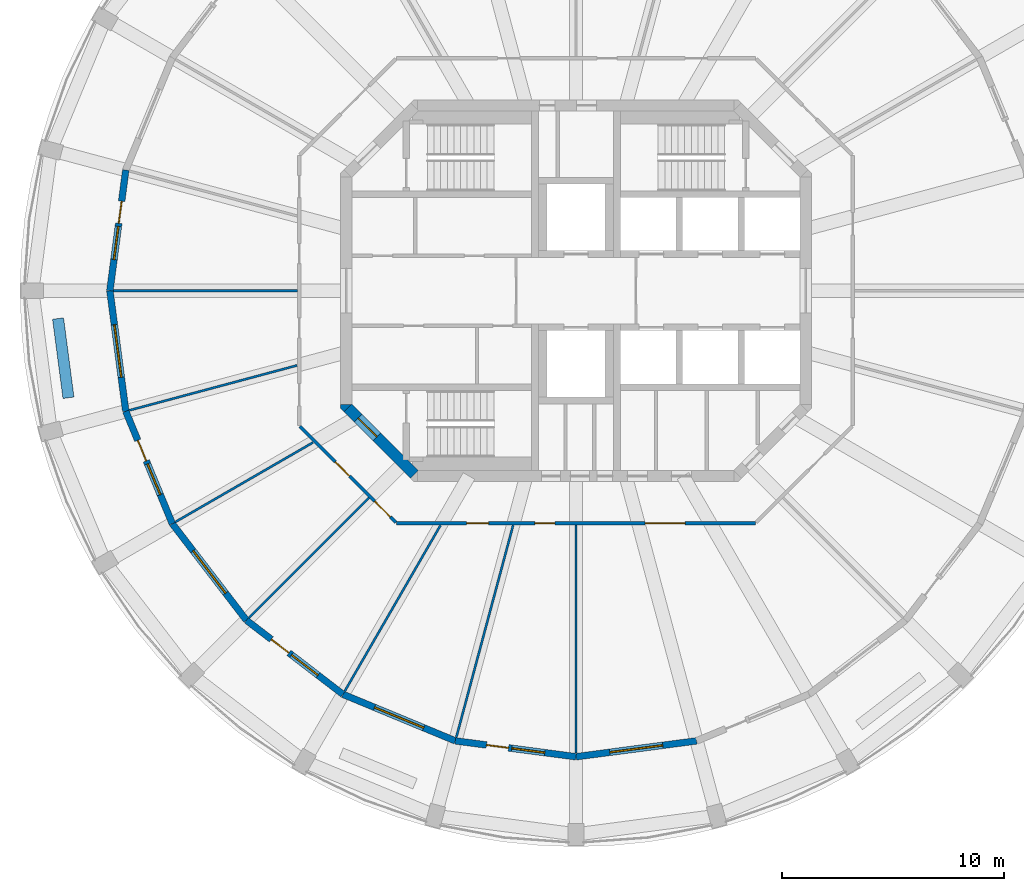
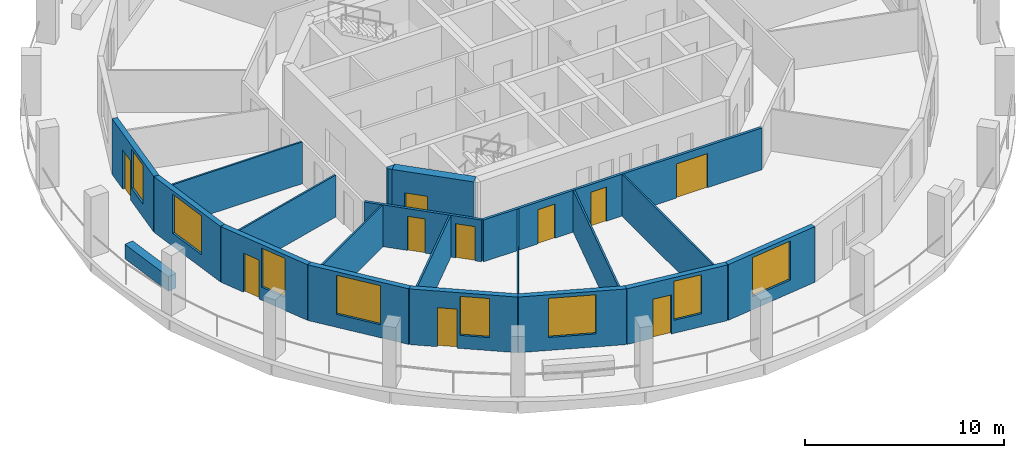
# One storey, part 2 of 9: 20 walls, 10 doors, 8 windows, 18 openings.
"""IFC4 building model written with IfcOpenShell, lengths in metres."""

from ifc_helpers import new_model, si_unit, direction, frame, frame_2d, origin, place, context, subcontext, project, spatial, polyline, rectangle, outline, extrude, material, layer, layer_set, type_object, element, fill, save


model = new_model("IFC4")

# Units and contexts
model_context = context("Model", 3, precision=1e-05, world=origin(), true_north=direction((0.0, 1.0)))
body_context = subcontext(model_context, "Body", "Model", "MODEL_VIEW")
ifc_project = project(units=[si_unit("LENGTHUNIT", "METRE"), si_unit("AREAUNIT", "SQUARE_METRE"), si_unit("VOLUMEUNIT", "CUBIC_METRE"), si_unit("PLANEANGLEUNIT", "RADIAN"), si_unit("MASSUNIT", "GRAM", prefix="KILO")], contexts=[model_context])

# Site, building, storey
site_placement = place(None, origin())
site = spatial("IfcSite", under=ifc_project, at=site_placement, CompositionType="ELEMENT")
building_placement = place(site_placement, origin())
building = spatial("IfcBuilding", under=site, at=building_placement, Name="Torre Triforio", CompositionType="ELEMENT")
storey_placement = place(building_placement, frame((0.0, 0.0, 268.60009765625)))
storey = spatial("IfcBuildingStorey", under=building, at=storey_placement, Name="L62", CompositionType="ELEMENT", Elevation=268.60009765625)

# Wall, opening, door
ifc_material_1 = material(Name="Concrete C40", Category="concrete")
ifc_layer_1 = layer(ifc_material_1, 0.5)
ifc_layer_set_1 = layer_set([ifc_layer_1], Name="Concrete C40")
wall_type_1 = type_object("IfcWallType", Name="Core wall 500 mm C40 EI 120", PredefinedType="SHEAR", material=ifc_layer_set_1)
wall_1_placement = place(storey_placement, frame((-7.27685546875, -8.27685546875, -0.280029296875), z_axis=(0.0, 0.0, 1.0), x_axis=(-0.707106781187, 0.707106781187, 0.0)))
wall_1 = element("IfcWall", 1, at=wall_1_placement, inside=storey, type_object=wall_type_1, Name="Core wall", PredefinedType="SHEAR", context=body_context, shape_type="SweptSolid", body=[
    extrude(rectangle(XDim=4.24267578125, YDim=0.5, at=frame_2d((2.121337890625, 0.0))), origin(), (0.0, 0.0, 1.0), 3.699951171875),
])
opening_1_placement = place(wall_1_placement, frame((2.392578125, 0.0, 0.280029296875)))
opening_1 = element("IfcOpeningElement", 2, at=opening_1_placement, cuts=wall_1, Name="Opening ST3-EXIT", PredefinedType="OPENING", context=body_context, shape_type="SweptSolid", body=[
    extrude(rectangle(XDim=1.199951171875, YDim=2.10009765625, at=frame_2d((0.60009765625, 1.050048828125))), frame((0.0, 0.260009765625, 0.0), z_axis=(0.0, -1.0, 0.0), x_axis=(1.0, 0.0, 0.0)), (0.0, 0.0, 1.0), 0.52001953125),
])
ifc_material_2 = material(Name="Hollow metal fire door leaf")
door_type_1 = type_object("IfcDoorType", Name="Stair lobby door 1200 x 2100 EI 60", OperationType="NOTDEFINED", PredefinedType="DOOR", material=ifc_material_2)
door_1_placement = place(opening_1_placement, origin())
door_1 = element("IfcDoor", 3, at=door_1_placement, inside=storey, type_object=door_type_1, Name="Core door ST3-EXIT", OperationType="SINGLE_SWING_RIGHT", OverallHeight=2.10009765625, OverallWidth=1.199951171875, PredefinedType="DOOR", context=body_context, shape_type="SweptSolid", body=[
    extrude(rectangle(XDim=1.199951171875, YDim=2.10009765625, at=frame_2d((0.60009765625, 1.050048828125))), frame((0.0, 0.02490234375, 0.0), z_axis=(0.0, -1.0, 0.0), x_axis=(1.0, 0.0, 0.0)), (0.0, 0.0, 1.0), 0.050048828125),
])
fill(opening_1, door_1)

# Wall
wall_2_placement = place(storey_placement, frame((0.0, 0.0, -0.280029296875)))
element("IfcWall", 4, at=wall_2_placement, inside=storey, type_object=wall_type_1, Name="Core wall", PredefinedType="SHEAR", context=body_context, shape_type="SweptSolid", body=[
    extrude(outline(polyline([(-10.60009765625, -5.30712890625), (-10.60009765625, -5.1298828125), (-10.1298828125, -5.1298828125), (-10.45361328125, -5.45361328125), (-10.60009765625, -5.30712890625)])), origin(), (0.0, 0.0, 1.0), 3.699951171875),
])

# Wall, openings, doors
ifc_material_3 = material(Name="Plasterboard on metal studs")
ifc_layer_2 = layer(ifc_material_3, 0.14990234375)
ifc_layer_set_2 = layer_set([ifc_layer_2], Name="Plasterboard on metal studs")
wall_type_2 = type_object("IfcWallType", Name="Corridor and tenancy wall 150 mm EI 60", PredefinedType="PARTITIONING", material=ifc_layer_set_2)
wall_3_placement = place(storey_placement, frame((8.083740234375, -10.47509765625, 0.0), z_axis=(0.0, 0.0, 1.0), x_axis=(-1.0, 0.0, 0.0)))
wall_3 = element("IfcWall", 5, at=wall_3_placement, inside=storey, type_object=wall_type_2, Name="Partition 2", PredefinedType="PARTITIONING", context=body_context, shape_type="SweptSolid", body=[
    extrude(rectangle(XDim=16.16748046875, YDim=0.14990234375, at=frame_2d((8.083740234375, 0.0))), origin(), (0.0, 0.0, 1.0), 2.56982421875),
])
opening_2_placement = place(wall_3_placement, frame((12.014892578125, 0.0, 0.0)))
opening_2 = element("IfcOpeningElement", 6, at=opening_2_placement, cuts=wall_3, Name="Opening E2-02", PredefinedType="OPENING", context=body_context, shape_type="SweptSolid", body=[
    extrude(rectangle(XDim=1.0, YDim=2.10009765625, at=frame_2d((0.5, 1.050048828125))), frame((0.0, 0.0849609375, 0.0), z_axis=(0.0, -1.0, 0.0), x_axis=(1.0, 0.0, 0.0)), (0.0, 0.0, 1.0), 0.169921875),
])
opening_3_placement = place(wall_3_placement, frame((9.0380859375, 0.0, 0.0)))
opening_3 = element("IfcOpeningElement", 7, at=opening_3_placement, cuts=wall_3, Name="Opening E2-03", PredefinedType="OPENING", context=body_context, shape_type="SweptSolid", body=[
    extrude(rectangle(XDim=0.89990234375, YDim=2.10009765625, at=frame_2d((0.449951171875, 1.050048828125))), frame((0.0, 0.0849609375, 0.0), z_axis=(0.0, -1.0, 0.0), x_axis=(1.0, 0.0, 0.0)), (0.0, 0.0, 1.0), 0.169921875),
])
opening_4_placement = place(wall_3_placement, frame((3.1669921875, 0.0, 0.0)))
opening_4 = element("IfcOpeningElement", 8, at=opening_4_placement, cuts=wall_3, Name="Opening E2-04", PredefinedType="OPENING", context=body_context, shape_type="SweptSolid", body=[
    extrude(rectangle(XDim=1.800048828125, YDim=2.10009765625, at=frame_2d((0.89990234375, 1.050048828125))), frame((0.0, 0.0849609375, 0.0), z_axis=(0.0, -1.0, 0.0), x_axis=(1.0, 0.0, 0.0)), (0.0, 0.0, 1.0), 0.169921875),
])
ifc_material_4 = material(Name="Timber", Category="wood")
door_type_2 = type_object("IfcDoorType", Name="Door 1000 x 2100 single leaf EI 30", OperationType="NOTDEFINED", PredefinedType="DOOR", material=ifc_material_4)
door_2_placement = place(opening_2_placement, origin())
door_2 = element("IfcDoor", 9, at=door_2_placement, inside=storey, type_object=door_type_2, Name="Door E2-02", OperationType="SINGLE_SWING_LEFT", OverallHeight=2.10009765625, OverallWidth=1.0, PredefinedType="DOOR", context=body_context, shape_type="SweptSolid", body=[
    extrude(rectangle(XDim=1.0, YDim=2.10009765625, at=frame_2d((0.5, 1.050048828125))), frame((0.0, 0.02490234375, 0.0), z_axis=(0.0, -1.0, 0.0), x_axis=(1.0, 0.0, 0.0)), (0.0, 0.0, 1.0), 0.050048828125),
])
fill(opening_2, door_2)
door_type_3 = type_object("IfcDoorType", Name="Door 1800 x 2100 double leaf EI 30", OperationType="DOUBLE_DOOR_SINGLE_SWING", PredefinedType="DOOR", material=ifc_material_4)
door_3_placement = place(opening_4_placement, origin())
door_3 = element("IfcDoor", 10, at=door_3_placement, inside=storey, type_object=door_type_3, Name="Door E2-04", OperationType="DOUBLE_DOOR_SINGLE_SWING", OverallHeight=2.10009765625, OverallWidth=1.800048828125, PredefinedType="DOOR", context=body_context, shape_type="SweptSolid", body=[
    extrude(rectangle(XDim=1.800048828125, YDim=2.10009765625, at=frame_2d((0.89990234375, 1.050048828125))), frame((0.0, 0.02490234375, 0.0), z_axis=(0.0, -1.0, 0.0), x_axis=(1.0, 0.0, 0.0)), (0.0, 0.0, 1.0), 0.050048828125),
])
fill(opening_4, door_3)
door_type_4 = type_object("IfcDoorType", Name="Door 900 x 2100 single leaf EI 30", OperationType="NOTDEFINED", PredefinedType="DOOR", material=ifc_material_4)
door_4_placement = place(opening_3_placement, origin())
door_4 = element("IfcDoor", 11, at=door_4_placement, inside=storey, type_object=door_type_4, Name="Door E2-03", OperationType="SINGLE_SWING_LEFT", OverallHeight=2.10009765625, OverallWidth=0.89990234375, PredefinedType="DOOR", context=body_context, shape_type="SweptSolid", body=[
    extrude(rectangle(XDim=0.89990234375, YDim=2.10009765625, at=frame_2d((0.449951171875, 1.050048828125))), frame((0.0, 0.02490234375, 0.0), z_axis=(0.0, -1.0, 0.0), x_axis=(1.0, 0.0, 0.0)), (0.0, 0.0, 1.0), 0.050048828125),
])
fill(opening_3, door_4)

wall_4_placement = place(storey_placement, frame((-8.120849609375, -10.43798828125, 0.0), z_axis=(0.0, 0.0, 1.0), x_axis=(-0.707106781187, 0.707106781187, 0.0)))
wall_4 = element("IfcWall", 12, at=wall_4_placement, inside=storey, type_object=wall_type_2, Name="Partition 3", PredefinedType="PARTITIONING", context=body_context, shape_type="SweptSolid", body=[
    extrude(rectangle(XDim=6.10546875, YDim=0.14990234375, at=frame_2d((3.052734375, 0.0))), origin(), (0.0, 0.0, 1.0), 2.56982421875),
])
opening_5_placement = place(wall_4_placement, frame((0.34423828125, 0.0, 0.0)))
opening_5 = element("IfcOpeningElement", 13, at=opening_5_placement, cuts=wall_4, Name="Opening E2-01", PredefinedType="OPENING", context=body_context, shape_type="SweptSolid", body=[
    extrude(rectangle(XDim=1.0, YDim=2.10009765625, at=frame_2d((0.5, 1.050048828125))), frame((0.0, 0.0849609375, 0.0), z_axis=(0.0, -1.0, 0.0), x_axis=(1.0, 0.0, 0.0)), (0.0, 0.0, 1.0), 0.169921875),
])
opening_6_placement = place(wall_4_placement, frame((2.947509765625, 0.0, 0.0)))
opening_6 = element("IfcOpeningElement", 14, at=opening_6_placement, cuts=wall_4, Name="Opening E2-17", PredefinedType="OPENING", context=body_context, shape_type="SweptSolid", body=[
    extrude(rectangle(XDim=0.89990234375, YDim=2.10009765625, at=frame_2d((0.449951171875, 1.050048828125))), frame((0.0, 0.0849609375, 0.0), z_axis=(0.0, -1.0, 0.0), x_axis=(1.0, 0.0, 0.0)), (0.0, 0.0, 1.0), 0.169921875),
])
door_5_placement = place(opening_5_placement, origin())
door_5 = element("IfcDoor", 15, at=door_5_placement, inside=storey, type_object=door_type_2, Name="Door E2-01", OperationType="SINGLE_SWING_LEFT", OverallHeight=2.10009765625, OverallWidth=1.0, PredefinedType="DOOR", context=body_context, shape_type="SweptSolid", body=[
    extrude(rectangle(XDim=1.0, YDim=2.10009765625, at=frame_2d((0.5, 1.050048828125))), frame((0.0, 0.02490234375, 0.0), z_axis=(0.0, -1.0, 0.0), x_axis=(1.0, 0.0, 0.0)), (0.0, 0.0, 1.0), 0.050048828125),
])
fill(opening_5, door_5)
door_6_placement = place(opening_6_placement, origin())
door_6 = element("IfcDoor", 16, at=door_6_placement, inside=storey, type_object=door_type_4, Name="Door E2-17", OperationType="SINGLE_SWING_LEFT", OverallHeight=2.10009765625, OverallWidth=0.89990234375, PredefinedType="DOOR", context=body_context, shape_type="SweptSolid", body=[
    extrude(rectangle(XDim=0.89990234375, YDim=2.10009765625, at=frame_2d((0.449951171875, 1.050048828125))), frame((0.0, 0.02490234375, 0.0), z_axis=(0.0, -1.0, 0.0), x_axis=(1.0, 0.0, 0.0)), (0.0, 0.0, 1.0), 0.050048828125),
])
fill(opening_6, door_6)

# Walls
ifc_layer_3 = layer(ifc_material_3, 0.10009765625)
ifc_layer_set_3 = layer_set([ifc_layer_3], Name="Plasterboard on metal studs")
wall_type_3 = type_object("IfcWallType", Name="Partition 100 mm board on metal studs", PredefinedType="PARTITIONING", material=ifc_layer_set_3)
wall_5_placement = place(storey_placement, frame((-12.550048828125, 0.0, 0.0), z_axis=(0.0, 0.0, 1.0), x_axis=(-1.0, 0.0, 0.0)))
element("IfcWall", 17, at=wall_5_placement, inside=storey, type_object=wall_type_3, Name="Partition 17", PredefinedType="PARTITIONING", context=body_context, shape_type="SweptSolid", body=[
    extrude(rectangle(XDim=8.28662109375, YDim=0.10009765625, at=frame_2d((4.143310546875, 0.0))), origin(), (0.0, 0.0, 1.0), 2.56982421875),
])
wall_6_placement = place(storey_placement, frame((-12.564208984375, -3.36669921875, 0.0), z_axis=(0.0, 0.0, 1.0), x_axis=(-0.965933576344, -0.258790119773, 0.0)))
element("IfcWall", 18, at=wall_6_placement, inside=storey, type_object=wall_type_3, Name="Partition 18", PredefinedType="PARTITIONING", context=body_context, shape_type="SweptSolid", body=[
    extrude(rectangle(XDim=7.8291015625, YDim=0.10009765625, at=frame_2d((3.91455078125, 0.0))), origin(), (0.0, 0.0, 1.0), 2.56982421875),
])
wall_7_placement = place(storey_placement, frame((-11.845947265625, -6.839111328125, 0.0), z_axis=(0.0, 0.0, 1.0), x_axis=(-0.866011787705, -0.500023583, 0.0)))
element("IfcWall", 19, at=wall_7_placement, inside=storey, type_object=wall_type_3, Name="Partition 19", PredefinedType="PARTITIONING", context=body_context, shape_type="SweptSolid", body=[
    extrude(rectangle(XDim=7.158447265625, YDim=0.10009765625, at=frame_2d((3.5791015625, 0.0))), origin(), (0.0, 0.0, 1.0), 2.56982421875),
])
wall_8_placement = place(storey_placement, frame((-9.33251953125, -9.33251953125, 0.0), z_axis=(0.0, 0.0, 1.0), x_axis=(-0.707106781187, -0.707106781187, 0.0)))
element("IfcWall", 20, at=wall_8_placement, inside=storey, type_object=wall_type_3, Name="Partition 20", PredefinedType="PARTITIONING", context=body_context, shape_type="SweptSolid", body=[
    extrude(rectangle(XDim=7.638671875, YDim=0.10009765625, at=frame_2d((3.8193359375, 0.0))), origin(), (0.0, 0.0, 1.0), 2.56982421875),
])
wall_9_placement = place(storey_placement, frame((-6.105224609375, -10.57470703125, 0.0), z_axis=(0.0, 0.0, 1.0), x_axis=(-0.50001399067, -0.866017326117, 0.0)))
element("IfcWall", 21, at=wall_9_placement, inside=storey, type_object=wall_type_3, Name="Partition 21", PredefinedType="PARTITIONING", context=body_context, shape_type="SweptSolid", body=[
    extrude(rectangle(XDim=8.626220703125, YDim=0.10009765625, at=frame_2d((4.31298828125, 0.0))), origin(), (0.0, 0.0, 1.0), 2.56982421875),
])
wall_10_placement = place(storey_placement, frame((-2.830810546875, -10.564208984375, 0.0), z_axis=(0.0, 0.0, 1.0), x_axis=(-0.258795254151, -0.965932200741, 0.0)))
element("IfcWall", 22, at=wall_10_placement, inside=storey, type_object=wall_type_3, Name="Partition 22", PredefinedType="PARTITIONING", context=body_context, shape_type="SweptSolid", body=[
    extrude(rectangle(XDim=9.899658203125, YDim=0.10009765625, at=frame_2d((4.94970703125, 0.0))), origin(), (0.0, 0.0, 1.0), 2.56982421875),
])
wall_11_placement = place(storey_placement, frame((0.0, -10.550048828125, 0.0), z_axis=(0.0, 0.0, 1.0), x_axis=(0.0, -1.0, 0.0)))
element("IfcWall", 23, at=wall_11_placement, inside=storey, type_object=wall_type_3, Name="Partition 23", PredefinedType="PARTITIONING", context=body_context, shape_type="SweptSolid", body=[
    extrude(rectangle(XDim=10.28662109375, YDim=0.10009765625, at=frame_2d((5.143310546875, 0.0))), origin(), (0.0, 0.0, 1.0), 2.56982421875),
])
ifc_material_5 = material(Name="Limestone cladding", Category="masonry")
ifc_layer_4 = layer(ifc_material_5, 0.10009765625)
ifc_layer_5 = layer(ifc_material_1, 0.39990234375)
ifc_layer_set_4 = layer_set([ifc_layer_4, ifc_layer_5], Name="Limestone cladding / Concrete C40")
wall_type_4 = type_object("IfcWallType", Name="Planter wall 500", PredefinedType="PARAPET", material=ifc_layer_set_4)
wall_12_placement = place(storey_placement, frame((-23.335693359375, -1.256591796875, 0.0), z_axis=(0.0, 0.0, 1.0), x_axis=(0.130542222659, -0.991442750795, 0.0)))
element("IfcWall", 24, at=wall_12_placement, inside=storey, type_object=wall_type_4, Name="Planter L62 bay 13", PredefinedType="PARAPET", context=body_context, shape_type="SweptSolid", body=[
    extrude(rectangle(XDim=3.60009765625, YDim=0.5, at=frame_2d((1.800048828125, 0.0))), origin(), (0.0, 0.0, 1.0), 0.89990234375),
])

# Wall, openings, door, window
ifc_layer_6 = layer(ifc_material_5, 0.10009765625)
ifc_layer_7 = layer(ifc_material_1, 0.199951171875)
ifc_layer_set_5 = layer_set([ifc_layer_6, ifc_layer_7], Name="Limestone cladding / Concrete C40")
wall_type_5 = type_object("IfcWallType", Name="Stone-faced composite wall 300", PredefinedType="STANDARD", material=ifc_layer_set_5)
wall_13_placement = place(storey_placement, frame((-20.284423828125, 5.435302734375, 0.0), z_axis=(0.0, 0.0, 1.0), x_axis=(-0.130527087244, -0.991444743541, 0.0)))
wall_13 = element("IfcWall", 25, at=wall_13_placement, inside=storey, type_object=wall_type_5, Name="External wall L62 bay 12", PredefinedType="STANDARD", context=body_context, shape_type="SweptSolid", body=[
    extrude(rectangle(XDim=5.482177734375, YDim=0.300048828125, at=frame_2d((2.7412109375, 0.0))), origin(), (0.0, 0.0, 1.0), 3.419921875),
])
opening_7_placement = place(wall_13_placement, frame((1.416015625, 0.0, 0.0)))
opening_7 = element("IfcOpeningElement", 26, at=opening_7_placement, cuts=wall_13, Name="Opening E2-D12", PredefinedType="OPENING", context=body_context, shape_type="SweptSolid", body=[
    extrude(rectangle(XDim=1.0, YDim=2.39990234375, at=frame_2d((0.5, 1.199951171875))), frame((0.0, 0.159912109375, 0.0), z_axis=(0.0, -1.0, 0.0), x_axis=(1.0, 0.0, 0.0)), (0.0, 0.0, 1.0), 0.320068359375),
])
opening_8_placement = place(wall_13_placement, frame((2.566162109375, 0.0, 0.800048828125)))
opening_8 = element("IfcOpeningElement", 27, at=opening_8_placement, cuts=wall_13, Name="Opening E2-W12A", PredefinedType="OPENING", context=body_context, shape_type="SweptSolid", body=[
    extrude(rectangle(XDim=1.5, YDim=2.39990234375, at=frame_2d((0.75, 1.199951171875))), frame((0.0, 0.159912109375, 0.0), z_axis=(0.0, -1.0, 0.0), x_axis=(1.0, 0.0, 0.0)), (0.0, 0.0, 1.0), 0.320068359375),
])
ifc_material_6 = material(Name="Aluminium frame with clear double glazing", Category="aluminium")
door_type_5 = type_object("IfcDoorType", Name="Loggia door 1000 x 2400", OperationType="NOTDEFINED", PredefinedType="DOOR", material=ifc_material_6)
door_7_placement = place(opening_7_placement, origin())
door_7 = element("IfcDoor", 28, at=door_7_placement, inside=storey, type_object=door_type_5, Name="Loggia door L62 bay 12", OperationType="SINGLE_SWING_LEFT", OverallHeight=2.39990234375, OverallWidth=1.0, PredefinedType="DOOR", context=body_context, shape_type="SweptSolid", body=[
    extrude(rectangle(XDim=1.0, YDim=2.39990234375, at=frame_2d((0.5, 1.199951171875))), frame((0.0, 0.02490234375, 0.0), z_axis=(0.0, -1.0, 0.0), x_axis=(1.0, 0.0, 0.0)), (0.0, 0.0, 1.0), 0.050048828125),
])
fill(opening_7, door_7)
window_type_1 = type_object("IfcWindowType", Name="Side window 1500 x 2400", PartitioningType="SINGLE_PANEL", PredefinedType="WINDOW", material=ifc_material_6)
window_1_placement = place(opening_8_placement, origin())
window_1 = element("IfcWindow", 29, at=window_1_placement, inside=storey, type_object=window_type_1, Name="Side window EWN14 L62 bay 12", OverallHeight=2.39990234375, OverallWidth=1.5, PartitioningType="SINGLE_PANEL", PredefinedType="WINDOW", context=body_context, shape_type="SweptSolid", body=[
    extrude(rectangle(XDim=1.5, YDim=2.39990234375, at=frame_2d((0.75, 1.199951171875))), frame((0.0, 0.030029296875, 0.0), z_axis=(0.0, -1.0, 0.0), x_axis=(1.0, 0.0, 0.0)), (0.0, 0.0, 1.0), 0.06005859375),
])
fill(opening_8, window_1)

# Wall, opening, window
wall_14_placement = place(storey_placement, frame((-21.0, 0.0, 0.0), z_axis=(0.0, 0.0, 1.0), x_axis=(0.130527087244, -0.991444743541, 0.0)))
wall_14 = element("IfcWall", 30, at=wall_14_placement, inside=storey, type_object=wall_type_5, Name="External wall L62 bay 13", PredefinedType="STANDARD", context=body_context, shape_type="SweptSolid", body=[
    extrude(rectangle(XDim=5.482177734375, YDim=0.300048828125, at=frame_2d((2.7412109375, 0.0))), origin(), (0.0, 0.0, 1.0), 3.419921875),
])
opening_9_placement = place(wall_14_placement, frame((1.541015625, 0.0, 0.800048828125)))
opening_9 = element("IfcOpeningElement", 31, at=opening_9_placement, cuts=wall_14, Name="Opening E2-W13", PredefinedType="OPENING", context=body_context, shape_type="SweptSolid", body=[
    extrude(rectangle(XDim=2.39990234375, YDim=2.39990234375, at=frame_2d((1.199951171875, 1.199951171875))), frame((0.0, 0.159912109375, 0.0), z_axis=(0.0, -1.0, 0.0), x_axis=(1.0, 0.0, 0.0)), (0.0, 0.0, 1.0), 0.320068359375),
])
window_type_2 = type_object("IfcWindowType", Name="Punched window 2400 x 2400", PartitioningType="DOUBLE_PANEL_VERTICAL", PredefinedType="WINDOW", material=ifc_material_6)
window_2_placement = place(opening_9_placement, origin())
window_2 = element("IfcWindow", 32, at=window_2_placement, inside=storey, type_object=window_type_2, Name="Window EWN4 L62 bay 13", OverallHeight=2.39990234375, OverallWidth=2.39990234375, PartitioningType="SINGLE_PANEL", PredefinedType="WINDOW", context=body_context, shape_type="SweptSolid", body=[
    extrude(rectangle(XDim=2.39990234375, YDim=2.39990234375, at=frame_2d((1.199951171875, 1.199951171875))), frame((0.0, 0.030029296875, 0.0), z_axis=(0.0, -1.0, 0.0), x_axis=(1.0, 0.0, 0.0)), (0.0, 0.0, 1.0), 0.06005859375),
])
fill(opening_9, window_2)

# Wall, openings, door, window
wall_15_placement = place(storey_placement, frame((-20.284423828125, -5.435302734375, 0.0), z_axis=(0.0, 0.0, 1.0), x_axis=(0.382688740813, -0.923877333662, 0.0)))
wall_15 = element("IfcWall", 33, at=wall_15_placement, inside=storey, type_object=wall_type_5, Name="External wall L62 bay 14", PredefinedType="STANDARD", context=body_context, shape_type="SweptSolid", body=[
    extrude(rectangle(XDim=5.48193359375, YDim=0.300048828125, at=frame_2d((2.740966796875, 0.0))), origin(), (0.0, 0.0, 1.0), 3.419921875),
])
opening_10_placement = place(wall_15_placement, frame((1.416015625, 0.0, 0.0)))
opening_10 = element("IfcOpeningElement", 34, at=opening_10_placement, cuts=wall_15, Name="Opening E2-D14", PredefinedType="OPENING", context=body_context, shape_type="SweptSolid", body=[
    extrude(rectangle(XDim=1.0, YDim=2.39990234375, at=frame_2d((0.5, 1.199951171875))), frame((0.0, 0.159912109375, 0.0), z_axis=(0.0, -1.0, 0.0), x_axis=(1.0, 0.0, 0.0)), (0.0, 0.0, 1.0), 0.320068359375),
])
opening_11_placement = place(wall_15_placement, frame((2.566162109375, 0.0, 0.800048828125)))
opening_11 = element("IfcOpeningElement", 35, at=opening_11_placement, cuts=wall_15, Name="Opening E2-W14A", PredefinedType="OPENING", context=body_context, shape_type="SweptSolid", body=[
    extrude(rectangle(XDim=1.5, YDim=2.39990234375, at=frame_2d((0.75, 1.199951171875))), frame((0.0, 0.159912109375, 0.0), z_axis=(0.0, -1.0, 0.0), x_axis=(1.0, 0.0, 0.0)), (0.0, 0.0, 1.0), 0.320068359375),
])
door_8_placement = place(opening_10_placement, origin())
door_8 = element("IfcDoor", 36, at=door_8_placement, inside=storey, type_object=door_type_5, Name="Loggia door L62 bay 14", OperationType="SINGLE_SWING_LEFT", OverallHeight=2.39990234375, OverallWidth=1.0, PredefinedType="DOOR", context=body_context, shape_type="SweptSolid", body=[
    extrude(rectangle(XDim=1.0, YDim=2.39990234375, at=frame_2d((0.5, 1.199951171875))), frame((0.0, 0.02490234375, 0.0), z_axis=(0.0, -1.0, 0.0), x_axis=(1.0, 0.0, 0.0)), (0.0, 0.0, 1.0), 0.050048828125),
])
fill(opening_10, door_8)
window_3_placement = place(opening_11_placement, origin())
window_3 = element("IfcWindow", 37, at=window_3_placement, inside=storey, type_object=window_type_1, Name="Side window EWN14 L62 bay 14", OverallHeight=2.39990234375, OverallWidth=1.5, PartitioningType="SINGLE_PANEL", PredefinedType="WINDOW", context=body_context, shape_type="SweptSolid", body=[
    extrude(rectangle(XDim=1.5, YDim=2.39990234375, at=frame_2d((0.75, 1.199951171875))), frame((0.0, 0.030029296875, 0.0), z_axis=(0.0, -1.0, 0.0), x_axis=(1.0, 0.0, 0.0)), (0.0, 0.0, 1.0), 0.06005859375),
])
fill(opening_11, window_3)

# Wall, opening, window
wall_16_placement = place(storey_placement, frame((-18.1865234375, -10.5, 0.0), z_axis=(0.0, 0.0, 1.0), x_axis=(0.608784891166, -0.793335336593, 0.0)))
wall_16 = element("IfcWall", 38, at=wall_16_placement, inside=storey, type_object=wall_type_5, Name="External wall L62 bay 15", PredefinedType="STANDARD", context=body_context, shape_type="SweptSolid", body=[
    extrude(rectangle(XDim=5.482177734375, YDim=0.300048828125, at=frame_2d((2.7412109375, 0.0))), origin(), (0.0, 0.0, 1.0), 3.419921875),
])
opening_12_placement = place(wall_16_placement, frame((1.541015625, 0.0, 0.800048828125)))
opening_12 = element("IfcOpeningElement", 39, at=opening_12_placement, cuts=wall_16, Name="Opening E2-W15", PredefinedType="OPENING", context=body_context, shape_type="SweptSolid", body=[
    extrude(rectangle(XDim=2.39990234375, YDim=2.39990234375, at=frame_2d((1.199951171875, 1.199951171875))), frame((0.0, 0.159912109375, 0.0), z_axis=(0.0, -1.0, 0.0), x_axis=(1.0, 0.0, 0.0)), (0.0, 0.0, 1.0), 0.320068359375),
])
window_4_placement = place(opening_12_placement, origin())
window_4 = element("IfcWindow", 40, at=window_4_placement, inside=storey, type_object=window_type_2, Name="Window EWN4 L62 bay 15", OverallHeight=2.39990234375, OverallWidth=2.39990234375, PartitioningType="SINGLE_PANEL", PredefinedType="WINDOW", context=body_context, shape_type="SweptSolid", body=[
    extrude(rectangle(XDim=2.39990234375, YDim=2.39990234375, at=frame_2d((1.199951171875, 1.199951171875))), frame((0.0, 0.030029296875, 0.0), z_axis=(0.0, -1.0, 0.0), x_axis=(1.0, 0.0, 0.0)), (0.0, 0.0, 1.0), 0.06005859375),
])
fill(opening_12, window_4)

# Wall, openings, door, window
wall_17_placement = place(storey_placement, frame((-14.84912109375, -14.84912109375, 0.0), z_axis=(0.0, 0.0, 1.0), x_axis=(0.793335336593, -0.608784891166, 0.0)))
wall_17 = element("IfcWall", 41, at=wall_17_placement, inside=storey, type_object=wall_type_5, Name="External wall L62 bay 16", PredefinedType="STANDARD", context=body_context, shape_type="SweptSolid", body=[
    extrude(rectangle(XDim=5.482177734375, YDim=0.300048828125, at=frame_2d((2.7412109375, 0.0))), origin(), (0.0, 0.0, 1.0), 3.419921875),
])
opening_13_placement = place(wall_17_placement, frame((1.416015625, 0.0, 0.0)))
opening_13 = element("IfcOpeningElement", 42, at=opening_13_placement, cuts=wall_17, Name="Opening E2-D16", PredefinedType="OPENING", context=body_context, shape_type="SweptSolid", body=[
    extrude(rectangle(XDim=1.0, YDim=2.39990234375, at=frame_2d((0.5, 1.199951171875))), frame((0.0, 0.159912109375, 0.0), z_axis=(0.0, -1.0, 0.0), x_axis=(1.0, 0.0, 0.0)), (0.0, 0.0, 1.0), 0.320068359375),
])
opening_14_placement = place(wall_17_placement, frame((2.56591796875, 0.0, 0.800048828125)))
opening_14 = element("IfcOpeningElement", 43, at=opening_14_placement, cuts=wall_17, Name="Opening E2-W16A", PredefinedType="OPENING", context=body_context, shape_type="SweptSolid", body=[
    extrude(rectangle(XDim=1.5, YDim=2.39990234375, at=frame_2d((0.75, 1.199951171875))), frame((0.0, 0.159912109375, 0.0), z_axis=(0.0, -1.0, 0.0), x_axis=(1.0, 0.0, 0.0)), (0.0, 0.0, 1.0), 0.320068359375),
])
door_9_placement = place(opening_13_placement, origin())
door_9 = element("IfcDoor", 44, at=door_9_placement, inside=storey, type_object=door_type_5, Name="Loggia door L62 bay 16", OperationType="SINGLE_SWING_LEFT", OverallHeight=2.39990234375, OverallWidth=1.0, PredefinedType="DOOR", context=body_context, shape_type="SweptSolid", body=[
    extrude(rectangle(XDim=1.0, YDim=2.39990234375, at=frame_2d((0.5, 1.199951171875))), frame((0.0, 0.02490234375, 0.0), z_axis=(0.0, -1.0, 0.0), x_axis=(1.0, 0.0, 0.0)), (0.0, 0.0, 1.0), 0.050048828125),
])
fill(opening_13, door_9)
window_5_placement = place(opening_14_placement, origin())
window_5 = element("IfcWindow", 45, at=window_5_placement, inside=storey, type_object=window_type_1, Name="Side window EWN14 L62 bay 16", OverallHeight=2.39990234375, OverallWidth=1.5, PartitioningType="SINGLE_PANEL", PredefinedType="WINDOW", context=body_context, shape_type="SweptSolid", body=[
    extrude(rectangle(XDim=1.5, YDim=2.39990234375, at=frame_2d((0.75, 1.199951171875))), frame((0.0, 0.030029296875, 0.0), z_axis=(0.0, -1.0, 0.0), x_axis=(1.0, 0.0, 0.0)), (0.0, 0.0, 1.0), 0.06005859375),
])
fill(opening_14, window_5)

# Wall, opening, window
wall_18_placement = place(storey_placement, frame((-10.5, -18.1865234375, 0.0), z_axis=(0.0, 0.0, 1.0), x_axis=(0.923877333662, -0.382688740813, 0.0)))
wall_18 = element("IfcWall", 46, at=wall_18_placement, inside=storey, type_object=wall_type_5, Name="External wall L62 bay 17", PredefinedType="STANDARD", context=body_context, shape_type="SweptSolid", body=[
    extrude(rectangle(XDim=5.48193359375, YDim=0.300048828125, at=frame_2d((2.740966796875, 0.0))), origin(), (0.0, 0.0, 1.0), 3.419921875),
])
opening_15_placement = place(wall_18_placement, frame((1.541015625, 0.0, 0.800048828125)))
opening_15 = element("IfcOpeningElement", 47, at=opening_15_placement, cuts=wall_18, Name="Opening E2-W17", PredefinedType="OPENING", context=body_context, shape_type="SweptSolid", body=[
    extrude(rectangle(XDim=2.39990234375, YDim=2.39990234375, at=frame_2d((1.199951171875, 1.199951171875))), frame((0.0, 0.159912109375, 0.0), z_axis=(0.0, -1.0, 0.0), x_axis=(1.0, 0.0, 0.0)), (0.0, 0.0, 1.0), 0.320068359375),
])
window_6_placement = place(opening_15_placement, origin())
window_6 = element("IfcWindow", 48, at=window_6_placement, inside=storey, type_object=window_type_2, Name="Window EWN4 L62 bay 17", OverallHeight=2.39990234375, OverallWidth=2.39990234375, PartitioningType="SINGLE_PANEL", PredefinedType="WINDOW", context=body_context, shape_type="SweptSolid", body=[
    extrude(rectangle(XDim=2.39990234375, YDim=2.39990234375, at=frame_2d((1.199951171875, 1.199951171875))), frame((0.0, 0.030029296875, 0.0), z_axis=(0.0, -1.0, 0.0), x_axis=(1.0, 0.0, 0.0)), (0.0, 0.0, 1.0), 0.06005859375),
])
fill(opening_15, window_6)

# Wall, openings, door, window
wall_19_placement = place(storey_placement, frame((-5.435302734375, -20.284423828125, 0.0), z_axis=(0.0, 0.0, 1.0), x_axis=(0.991444743541, -0.130527087244, 0.0)))
wall_19 = element("IfcWall", 49, at=wall_19_placement, inside=storey, type_object=wall_type_5, Name="External wall L62 bay 18", PredefinedType="STANDARD", context=body_context, shape_type="SweptSolid", body=[
    extrude(rectangle(XDim=5.482177734375, YDim=0.300048828125, at=frame_2d((2.7412109375, 0.0))), origin(), (0.0, 0.0, 1.0), 3.419921875),
])
opening_16_placement = place(wall_19_placement, frame((1.416015625, 0.0, 0.0)))
opening_16 = element("IfcOpeningElement", 50, at=opening_16_placement, cuts=wall_19, Name="Opening E2-D18", PredefinedType="OPENING", context=body_context, shape_type="SweptSolid", body=[
    extrude(rectangle(XDim=1.0, YDim=2.39990234375, at=frame_2d((0.5, 1.199951171875))), frame((0.0, 0.159912109375, 0.0), z_axis=(0.0, -1.0, 0.0), x_axis=(1.0, 0.0, 0.0)), (0.0, 0.0, 1.0), 0.320068359375),
])
opening_17_placement = place(wall_19_placement, frame((2.566162109375, 0.0, 0.800048828125)))
opening_17 = element("IfcOpeningElement", 51, at=opening_17_placement, cuts=wall_19, Name="Opening E2-W18A", PredefinedType="OPENING", context=body_context, shape_type="SweptSolid", body=[
    extrude(rectangle(XDim=1.5, YDim=2.39990234375, at=frame_2d((0.75, 1.199951171875))), frame((0.0, 0.159912109375, 0.0), z_axis=(0.0, -1.0, 0.0), x_axis=(1.0, 0.0, 0.0)), (0.0, 0.0, 1.0), 0.320068359375),
])
door_10_placement = place(opening_16_placement, origin())
door_10 = element("IfcDoor", 52, at=door_10_placement, inside=storey, type_object=door_type_5, Name="Loggia door L62 bay 18", OperationType="SINGLE_SWING_LEFT", OverallHeight=2.39990234375, OverallWidth=1.0, PredefinedType="DOOR", context=body_context, shape_type="SweptSolid", body=[
    extrude(rectangle(XDim=1.0, YDim=2.39990234375, at=frame_2d((0.5, 1.199951171875))), frame((0.0, 0.02490234375, 0.0), z_axis=(0.0, -1.0, 0.0), x_axis=(1.0, 0.0, 0.0)), (0.0, 0.0, 1.0), 0.050048828125),
])
fill(opening_16, door_10)
window_7_placement = place(opening_17_placement, origin())
window_7 = element("IfcWindow", 53, at=window_7_placement, inside=storey, type_object=window_type_1, Name="Side window EWN14 L62 bay 18", OverallHeight=2.39990234375, OverallWidth=1.5, PartitioningType="SINGLE_PANEL", PredefinedType="WINDOW", context=body_context, shape_type="SweptSolid", body=[
    extrude(rectangle(XDim=1.5, YDim=2.39990234375, at=frame_2d((0.75, 1.199951171875))), frame((0.0, 0.030029296875, 0.0), z_axis=(0.0, -1.0, 0.0), x_axis=(1.0, 0.0, 0.0)), (0.0, 0.0, 1.0), 0.06005859375),
])
fill(opening_17, window_7)

# Wall, opening, window
wall_20_placement = place(storey_placement, frame((0.0, -21.0, 0.0), z_axis=(0.0, 0.0, 1.0), x_axis=(0.991444743541, 0.130527087244, 0.0)))
wall_20 = element("IfcWall", 54, at=wall_20_placement, inside=storey, type_object=wall_type_5, Name="External wall L62 bay 19", PredefinedType="STANDARD", context=body_context, shape_type="SweptSolid", body=[
    extrude(rectangle(XDim=5.482177734375, YDim=0.300048828125, at=frame_2d((2.7412109375, 0.0))), origin(), (0.0, 0.0, 1.0), 3.419921875),
])
opening_18_placement = place(wall_20_placement, frame((1.541015625, 0.0, 0.800048828125)))
opening_18 = element("IfcOpeningElement", 55, at=opening_18_placement, cuts=wall_20, Name="Opening E2-W19", PredefinedType="OPENING", context=body_context, shape_type="SweptSolid", body=[
    extrude(rectangle(XDim=2.39990234375, YDim=2.39990234375, at=frame_2d((1.199951171875, 1.199951171875))), frame((0.0, 0.159912109375, 0.0), z_axis=(0.0, -1.0, 0.0), x_axis=(1.0, 0.0, 0.0)), (0.0, 0.0, 1.0), 0.320068359375),
])
window_8_placement = place(opening_18_placement, origin())
window_8 = element("IfcWindow", 56, at=window_8_placement, inside=storey, type_object=window_type_2, Name="Window EWN4 L62 bay 19", OverallHeight=2.39990234375, OverallWidth=2.39990234375, PartitioningType="SINGLE_PANEL", PredefinedType="WINDOW", context=body_context, shape_type="SweptSolid", body=[
    extrude(rectangle(XDim=2.39990234375, YDim=2.39990234375, at=frame_2d((1.199951171875, 1.199951171875))), frame((0.0, 0.030029296875, 0.0), z_axis=(0.0, -1.0, 0.0), x_axis=(1.0, 0.0, 0.0)), (0.0, 0.0, 1.0), 0.06005859375),
])
fill(opening_18, window_8)

save(model, "model.ifc")
